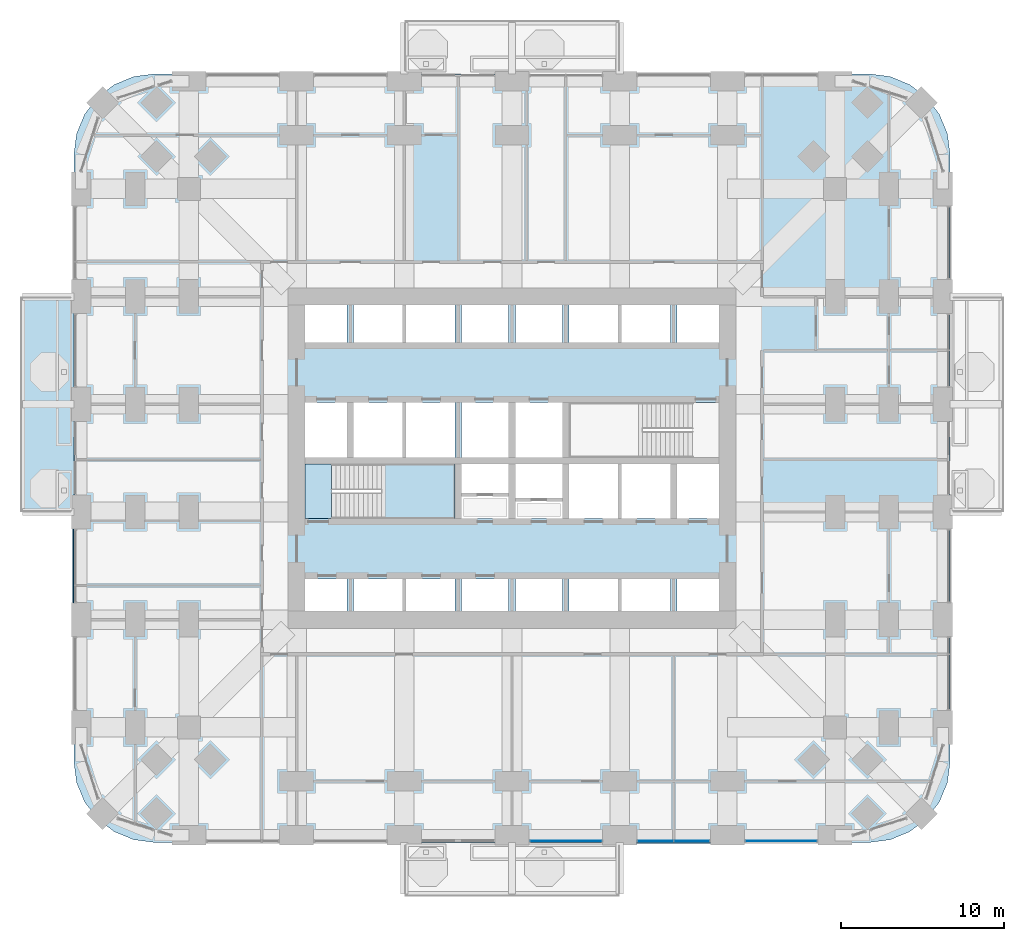
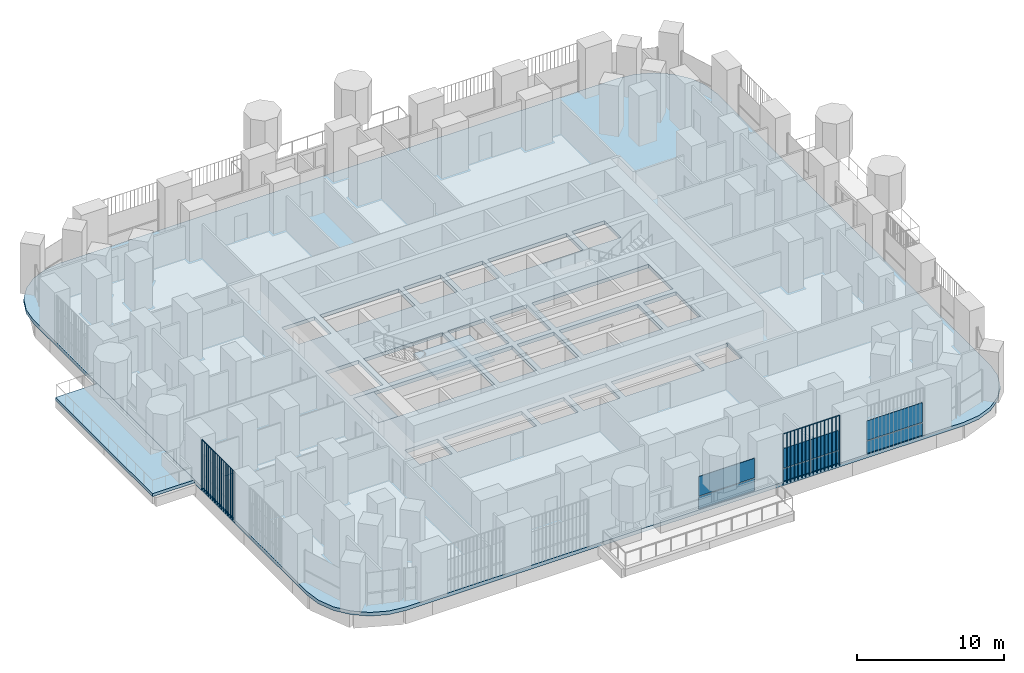
# One storey, part 12 of 26: 10 plates, 4 slabs, 4 elements without a shape of their own.
"""IFC4 building model written with IfcOpenShell, lengths in metres."""

import ifcopenshell
import ifcopenshell.guid

model = None  # the IFC model being written
_history = None  # IfcOwnerHistory: only IFC2X3 demands one
_inside = {}  # id of a spatial element -> (the spatial element, [elements in it])
_under = {}  # id of a project, library or spatial element -> (it, [spatial elements below it])
_declared = {}  # id of a project -> (the project, [libraries it declares])
_typed = {}  # id of a type object -> (the type object, [elements of that type])
_made_of = {}  # id of a material, layer set ... -> (it, [elements and type objects made of it])


def new_model(schema):
    """Start an empty IFC model of exactly this schema.

    Asked for "IFC4X3", IfcOpenShell would pick the latest addendum, in which some entities
    have other attributes; the version numbers below select the first issue.
    IFC2X3 requires an IfcOwnerHistory on every rooted entity: one is made here for all.
    """
    global model, _history
    if schema == "IFC4X3":
        model = ifcopenshell.file(schema_version=(4, 3, 0, 0))
    else:
        model = ifcopenshell.file(schema=schema)
    _inside.clear()
    _under.clear()
    _declared.clear()
    _typed.clear()
    _made_of.clear()
    _history = None
    if model.schema == "IFC2X3":
        org = make("IfcOrganization", Name="unknown")
        user = make(
            "IfcPersonAndOrganization",
            ThePerson=make("IfcPerson", FamilyName="unknown"),
            TheOrganization=org,
        )
        app = make(
            "IfcApplication",
            ApplicationDeveloper=org,
            Version="unknown",
            ApplicationFullName="unknown",
            ApplicationIdentifier="unknown",
        )
        _history = make(
            "IfcOwnerHistory",
            OwningUser=user,
            OwningApplication=app,
            ChangeAction="ADDED",
            CreationDate=0,
        )
    return model


def make(cls, **values):
    """One entity of the class cls with the attributes given. An attribute that is None is left unset."""
    return model.create_entity(
        cls, **{name: value for name, value in values.items() if value is not None}
    )


def rooted(cls, **values):
    """An entity with a GlobalId (a new one), such as an element, a storey or a relation."""
    return make(cls, GlobalId=ifcopenshell.guid.new(), OwnerHistory=_history, **values)


def si_unit(unit_type, name, prefix=None):
    """IfcSIUnit, for example si_unit("LENGTHUNIT", "METRE", prefix="MILLI")."""
    return make("IfcSIUnit", UnitType=unit_type, Prefix=prefix, Name=name)


def assignment(units):
    """IfcUnitAssignment: the units of a project."""
    return None if units is None else make("IfcUnitAssignment", Units=units)


def point(xyz):
    """IfcCartesianPoint."""
    return None if xyz is None else make("IfcCartesianPoint", Coordinates=xyz)


def direction(xyz):
    """IfcDirection."""
    return None if xyz is None else make("IfcDirection", DirectionRatios=xyz)


def frame(location, z_axis=None, x_axis=None):
    """IfcAxis2Placement3D, a coordinate frame: its origin and axes. An axis left out is left unset."""
    return make(
        "IfcAxis2Placement3D",
        Location=point(location),
        Axis=direction(z_axis),
        RefDirection=direction(x_axis),
    )


def frame_2d(location, x_axis=None):
    """IfcAxis2Placement2D, a coordinate frame in the plane: its origin and x axis."""
    return make(
        "IfcAxis2Placement2D", Location=point(location), RefDirection=direction(x_axis)
    )


def origin():
    """The frame at (0, 0, 0) with its axes left unset."""
    return frame((0.0, 0.0, 0.0))


def origin_2d():
    """The frame at (0, 0) in the plane with its x axis left unset."""
    return frame_2d((0.0, 0.0))


def place(relative_to, where):
    """IfcLocalPlacement: puts the frame where relative to a parent placement (None: the world)."""
    return make(
        "IfcLocalPlacement", PlacementRelTo=relative_to, RelativePlacement=where
    )


def context(
    kind, dimensions, precision=None, world=None, true_north=None, identifier=None
):
    """IfcGeometricRepresentationContext, for example the 3D "Model" context."""
    return make(
        "IfcGeometricRepresentationContext",
        ContextIdentifier=identifier,
        ContextType=kind,
        CoordinateSpaceDimension=dimensions,
        Precision=precision,
        WorldCoordinateSystem=world,
        TrueNorth=true_north,
    )


def subcontext(parent, identifier, kind, view, scale=None):
    """IfcGeometricRepresentationSubContext, for example "Body" below "Model"."""
    return make(
        "IfcGeometricRepresentationSubContext",
        ContextIdentifier=identifier,
        ContextType=kind,
        ParentContext=parent,
        TargetScale=scale,
        TargetView=view,
    )


def project(units=None, contexts=None):
    """IfcProject with its units and contexts."""
    return rooted(
        "IfcProject",
        Name="project",
        RepresentationContexts=contexts,
        UnitsInContext=assignment(units),
    )


def spatial(cls, under=None, at=None, **own):
    """A site, building, storey or space (cls), placed at a placement, below another one or the project."""
    s = rooted(cls, ObjectPlacement=at, **own)
    if under is not None:
        _under.setdefault(under.id(), (under, []))[1].append(s)
    return s


def polyline(points):
    """IfcPolyline through the points."""
    return make("IfcPolyline", Points=[point(p) for p in points])


def profile(cls, at=None, kind="AREA", **sizes):
    """A parametric profile (cls). Its sizes go by their IFC names, for example OverallWidth=200.0."""
    return make(cls, ProfileType=kind, Position=at, **sizes)


def rectangle(**sizes):
    """IfcRectangleProfileDef."""
    return profile("IfcRectangleProfileDef", **sizes)


def outline(outer, holes=None, kind="AREA"):
    """IfcArbitraryClosedProfileDef: a profile drawn as a closed curve; with holes, ...WithVoids."""
    if holes is None:
        return make("IfcArbitraryClosedProfileDef", ProfileType=kind, OuterCurve=outer)
    return make(
        "IfcArbitraryProfileDefWithVoids",
        ProfileType=kind,
        OuterCurve=outer,
        InnerCurves=holes,
    )


def extrude(swept, where, along, depth):
    """IfcExtrudedAreaSolid: the profile swept, set in the frame where, extruded along a direction by depth."""
    return make(
        "IfcExtrudedAreaSolid",
        SweptArea=swept,
        Position=where,
        ExtrudedDirection=direction(along),
        Depth=depth,
    )


def shape(context_of_items, identifier, shape_type, items):
    """IfcShapeRepresentation: the items that make up one representation, for example the "Body"."""
    return make(
        "IfcShapeRepresentation",
        ContextOfItems=context_of_items,
        RepresentationIdentifier=identifier,
        RepresentationType=shape_type,
        Items=items,
    )


def material(Name=None, Category=None):
    """IfcMaterial."""
    return make("IfcMaterial", Name=Name, Category=Category)


def layer(
    of_material, thickness, ventilated=None, Name=None, Category=None, Priority=None
):
    """IfcMaterialLayer: one layer of a wall or slab, of a material (None: an air gap)."""
    return make(
        "IfcMaterialLayer",
        Material=of_material,
        LayerThickness=thickness,
        IsVentilated=ventilated,
        Name=Name,
        Category=Category,
        Priority=Priority,
    )


def layer_set(layers, Name=None):
    """IfcMaterialLayerSet."""
    return make("IfcMaterialLayerSet", MaterialLayers=layers, LayerSetName=Name)


def made_of(thing, what):
    """Note that an element or type object is made of a material, layer set ...; save() writes the relation."""
    if what is not None:
        _made_of.setdefault(what.id(), (what, []))[1].append(thing)
    return thing


def type_object(cls, material=None, **own):
    """A type object (cls), such as IfcWallType, which elements share."""
    return made_of(rooted(cls, **own), material)


def element(
    cls,
    number,
    at=None,
    inside=None,
    cuts=None,
    type_object=None,
    material=None,
    context=None,
    identifier="Body",
    shape_type=None,
    held_by="IfcProductDefinitionShape",
    body=None,
    shapes=None,
    **own,
):
    """One element of the class cls, such as IfcWall. Its Tag is "e" and its number.

    at: its placement. inside: the storey or other place that contains it. cuts: it is an
    opening in that element (IfcRelVoidsElement). A single representation is given by context,
    identifier, shape_type and body (its items); several are given by shapes. held_by: the class
    of the entity that holds the representations. save() writes the other relations.
    """
    e = rooted(cls, Tag="e%d" % number, ObjectPlacement=at, **own)
    if body is not None:
        shapes = [shape(context, identifier, shape_type, body)]
    if shapes is not None:
        e.Representation = make(held_by, Representations=shapes)
    if inside is not None:
        _inside.setdefault(inside.id(), (inside, []))[1].append(e)
    if cuts is not None:
        rooted(
            "IfcRelVoidsElement", RelatingBuildingElement=cuts, RelatedOpeningElement=e
        )
    if type_object is not None:
        _typed.setdefault(type_object.id(), (type_object, []))[1].append(e)
    return made_of(e, material)


def aggregate(whole, parts):
    """IfcRelAggregates: a whole, such as a stair, and the parts it consists of."""
    return rooted("IfcRelAggregates", RelatingObject=whole, RelatedObjects=parts)


def save(model, path):
    """Write the relations noted so far, then the file.

    IfcRelAggregates (storeys below a building ...), IfcRelContainedInSpatialStructure (elements
    in a storey), IfcRelDefinesByType, IfcRelAssociatesMaterial and IfcRelDeclares: one each for
    every whole, place, type object, material and project.
    """
    for whole, parts in _under.values():
        aggregate(whole, parts)
    for where, things in _inside.values():
        rooted(
            "IfcRelContainedInSpatialStructure",
            RelatedElements=things,
            RelatingStructure=where,
        )
    for kind, things in _typed.values():
        rooted("IfcRelDefinesByType", RelatedObjects=things, RelatingType=kind)
    for what, things in _made_of.values():
        rooted("IfcRelAssociatesMaterial", RelatedObjects=things, RelatingMaterial=what)
    for by, libraries in _declared.values():
        rooted("IfcRelDeclares", RelatingContext=by, RelatedDefinitions=libraries)
    model.write(path)


model = new_model("IFC4")

# Units and contexts
model_context = context("Model", 3, precision=1e-05, world=origin(), true_north=direction((0.0, 1.0)))
body_context = subcontext(model_context, "Body", "Model", "MODEL_VIEW")
ifc_project = project(units=[si_unit("LENGTHUNIT", "METRE"), si_unit("AREAUNIT", "SQUARE_METRE"), si_unit("VOLUMEUNIT", "CUBIC_METRE"), si_unit("PLANEANGLEUNIT", "RADIAN"), si_unit("MASSUNIT", "GRAM", prefix="KILO")], contexts=[model_context])

# Site, building, storey
site_placement = place(None, origin())
site = spatial("IfcSite", under=ifc_project, at=site_placement, CompositionType="ELEMENT")
building_placement = place(site_placement, origin())
building = spatial("IfcBuilding", under=site, at=building_placement, Name="Cobogo Forest Laboratory Tower", CompositionType="ELEMENT")
storey_placement = place(building_placement, frame((0.0, 0.0, 25.5)))
storey = spatial("IfcBuildingStorey", under=building, at=storey_placement, Name="L05", CompositionType="ELEMENT", Elevation=25.5)

# Slabs
ifc_material_1 = material(Name="Concrete HA-40 (C40/50)", Category="concrete")
ifc_layer_1 = layer(ifc_material_1, 0.25)
ifc_layer_set_1 = layer_set([ifc_layer_1], Name="Balcony slab 250")
slab_type_1 = type_object("IfcSlabType", Name="Balcony slab 250", PredefinedType="FLOOR", material=ifc_layer_set_1)
slab_1_placement = place(storey_placement, frame((0.0, 0.0, -0.25)))
element("IfcSlab", 1, at=slab_1_placement, inside=storey, type_object=slab_type_1, Name="Balcony BAL-W1 L05", PredefinedType="FLOOR", context=body_context, shape_type="SweptSolid", body=[
    extrude(outline(polyline([(-3.75, 19.800048828125), (-0.449951171875, 19.800048828125), (-0.449951171875, 33.0), (-3.75, 33.0), (-3.75, 19.800048828125)])), origin(), (0.0, 0.0, 1.0), 0.25),
])
ifc_layer_2 = layer(ifc_material_1, 0.300048828125)
ifc_layer_set_2 = layer_set([ifc_layer_2], Name="Floor slab 300")
slab_type_2 = type_object("IfcSlabType", Name="Floor slab 300", PredefinedType="FLOOR", material=ifc_layer_set_2)
slab_2_placement = place(storey_placement, frame((0.0, 0.0, -0.300048828125)))
element("IfcSlab", 2, at=slab_2_placement, inside=storey, type_object=slab_type_2, Name="L05 floor slab", PredefinedType="FLOOR", context=body_context, shape_type="SweptSolid", body=[
    extrude(outline(polyline([(48.300048828125, -0.449951171875), (49.5810546875, -0.28125), (50.77490234375, 0.213134765625), (51.80029296875, 0.999755859375), (52.5869140625, 2.02490234375), (53.081298828125, 3.21875), (53.25, 4.5), (53.25, 41.699951171875), (53.081298828125, 42.981201171875), (52.5869140625, 44.175048828125), (51.80029296875, 45.2001953125), (50.77490234375, 45.98681640625), (49.5810546875, 46.4814453125), (48.300048828125, 46.64990234375), (4.5, 46.64990234375), (3.21875, 46.4814453125), (2.02490234375, 45.98681640625), (0.999755859375, 45.2001953125), (0.213134765625, 44.175048828125), (-0.28125, 42.981201171875), (-0.449951171875, 41.699951171875), (-0.449951171875, 4.5), (-0.28125, 3.21875), (0.213134765625, 2.02490234375), (0.999755859375, 0.999755859375), (2.02490234375, 0.213134765625), (3.21875, -0.28125), (4.5, -0.449951171875), (48.300048828125, -0.449951171875)]), holes=[polyline([(16.300048828125, 13.72509765625), (13.72509765625, 13.72509765625), (13.72509765625, 15.699951171875), (16.300048828125, 15.699951171875), (16.300048828125, 13.72509765625)]), polyline([(22.89990234375, 15.699951171875), (22.89990234375, 13.72509765625), (16.699951171875, 13.72509765625), (16.699951171875, 15.699951171875), (22.89990234375, 15.699951171875)]), polyline([(23.300048828125, 13.72509765625), (23.300048828125, 15.699951171875), (26.199951171875, 15.699951171875), (26.199951171875, 13.72509765625), (23.300048828125, 13.72509765625)]), polyline([(29.5, 13.72509765625), (26.60009765625, 13.72509765625), (26.60009765625, 15.699951171875), (29.5, 15.699951171875), (29.5, 13.72509765625)]), polyline([(36.10009765625, 15.699951171875), (36.10009765625, 13.72509765625), (29.89990234375, 13.72509765625), (29.89990234375, 15.699951171875), (36.10009765625, 15.699951171875)]), polyline([(36.5, 13.72509765625), (36.5, 15.699951171875), (39.074951171875, 15.699951171875), (39.074951171875, 13.72509765625), (36.5, 13.72509765625)]), polyline([(13.72509765625, 19.39990234375), (13.72509765625, 22.75), (22.89990234375, 22.75), (22.89990234375, 19.39990234375), (13.72509765625, 19.39990234375)]), polyline([(23.300048828125, 19.39990234375), (23.300048828125, 22.75), (26.199951171875, 22.75), (26.199951171875, 19.39990234375), (23.300048828125, 19.39990234375)]), polyline([(26.60009765625, 19.39990234375), (26.60009765625, 22.75), (29.5, 22.75), (29.5, 19.39990234375), (26.60009765625, 19.39990234375)]), polyline([(36.10009765625, 22.75), (36.10009765625, 19.39990234375), (29.89990234375, 19.39990234375), (29.89990234375, 22.75), (36.10009765625, 22.75)]), polyline([(39.074951171875, 19.39990234375), (36.5, 19.39990234375), (36.5, 22.75), (39.074951171875, 22.75), (39.074951171875, 19.39990234375)]), polyline([(13.72509765625, 23.14990234375), (13.72509765625, 26.5), (16.300048828125, 26.5), (16.300048828125, 23.14990234375), (13.72509765625, 23.14990234375)]), polyline([(22.89990234375, 26.5), (22.89990234375, 23.14990234375), (16.699951171875, 23.14990234375), (16.699951171875, 26.5), (22.89990234375, 26.5)]), polyline([(23.300048828125, 23.14990234375), (23.300048828125, 26.5), (26.199951171875, 26.5), (26.199951171875, 23.14990234375), (23.300048828125, 23.14990234375)]), polyline([(26.60009765625, 23.14990234375), (26.60009765625, 26.5), (29.5, 26.5), (29.5, 23.14990234375), (26.60009765625, 23.14990234375)]), polyline([(29.89990234375, 23.14990234375), (29.89990234375, 26.5), (39.074951171875, 26.5), (39.074951171875, 23.14990234375), (29.89990234375, 23.14990234375)]), polyline([(13.72509765625, 30.199951171875), (13.72509765625, 32.47509765625), (16.300048828125, 32.47509765625), (16.300048828125, 30.199951171875), (13.72509765625, 30.199951171875)]), polyline([(22.89990234375, 32.47509765625), (22.89990234375, 30.199951171875), (16.699951171875, 30.199951171875), (16.699951171875, 32.47509765625), (22.89990234375, 32.47509765625)]), polyline([(23.300048828125, 30.199951171875), (23.300048828125, 32.47509765625), (26.199951171875, 32.47509765625), (26.199951171875, 30.199951171875), (23.300048828125, 30.199951171875)]), polyline([(26.60009765625, 30.199951171875), (26.60009765625, 32.47509765625), (29.5, 32.47509765625), (29.5, 30.199951171875), (26.60009765625, 30.199951171875)]), polyline([(36.10009765625, 32.47509765625), (36.10009765625, 30.199951171875), (29.89990234375, 30.199951171875), (29.89990234375, 32.47509765625), (36.10009765625, 32.47509765625)]), polyline([(36.5, 30.199951171875), (36.5, 32.47509765625), (39.074951171875, 32.47509765625), (39.074951171875, 30.199951171875), (36.5, 30.199951171875)])]), origin(), (0.0, 0.0, 1.0), 0.300048828125),
])

# Curtain wall, plates
ifc_material_2 = material(Name="Aluminium curtain wall", Category="aluminium")
curtain_wall_type = type_object("IfcCurtainWallType", Name="CW-1 unitised curtain wall, clear glazing, laboratory floors zones A and B", PredefinedType="USERDEFINED", material=ifc_material_2)
curtain_wall_1_placement = place(storey_placement, origin())
curtain_wall_1 = element("IfcCurtainWall", 3, at=curtain_wall_1_placement, inside=storey, type_object=curtain_wall_type, Name="Curtain wall 04 L05", ObjectType="UNITISED CURTAIN WALL", PredefinedType="USERDEFINED")
ifc_material_3 = material(Name="Clear insulated glass", Category="glass")
ifc_layer_3 = layer(ifc_material_3, 0.028076171875)
ifc_layer_set_3 = layer_set([ifc_layer_3], Name="GP-1 clear insulated glass unit 28")
plate_type_1 = type_object("IfcPlateType", Name="GP-1 clear insulated glass unit 28", PredefinedType="CURTAIN_PANEL", material=ifc_layer_set_3)
plate_1_placement = place(storey_placement, frame((29.699951171875, -0.35009765625, 0.0), z_axis=(0.0, 0.0, 1.0), x_axis=(1.0, 0.0, 0.0)))
plate_1 = element("IfcPlate", 4, at=plate_1_placement, type_object=plate_type_1, Name="CW-1 panel 1.1", PredefinedType="CURTAIN_PANEL", context=body_context, shape_type="SweptSolid", body=[
    extrude(rectangle(XDim=4.3798828125, YDim=0.028076171875, at=origin_2d()), origin(), (0.0, 0.0, 1.0), 1.02001953125),
])
plate_2_placement = place(storey_placement, frame((29.699951171875, -0.35009765625, 1.079833984375), z_axis=(0.0, 0.0, 1.0), x_axis=(1.0, 0.0, 0.0)))
plate_2 = element("IfcPlate", 5, at=plate_2_placement, type_object=plate_type_1, Name="CW-1 panel 1.2", PredefinedType="CURTAIN_PANEL", context=body_context, shape_type="SweptSolid", body=[
    extrude(rectangle(XDim=4.3798828125, YDim=0.028076171875, at=origin_2d()), origin(), (0.0, 0.0, 1.0), 1.6201171875),
])
aggregate(curtain_wall_1, [plate_1, plate_2])

curtain_wall_2_placement = place(storey_placement, origin())
curtain_wall_2 = element("IfcCurtainWall", 6, at=curtain_wall_2_placement, inside=storey, type_object=curtain_wall_type, Name="Curtain wall 05 L05", ObjectType="UNITISED CURTAIN WALL", PredefinedType="USERDEFINED")
plate_3_placement = place(storey_placement, frame((35.18994140625, -0.35009765625, 0.0), z_axis=(0.0, 0.0, 1.0), x_axis=(1.0, 0.0, 0.0)))
plate_3 = element("IfcPlate", 7, at=plate_3_placement, type_object=plate_type_1, Name="CW-1 panel 1.1", PredefinedType="CURTAIN_PANEL", context=body_context, shape_type="SweptSolid", body=[
    extrude(rectangle(XDim=2.159912109375, YDim=0.028076171875, at=origin_2d()), origin(), (0.0, 0.0, 1.0), 1.02001953125),
])
plate_4_placement = place(storey_placement, frame((35.18994140625, -0.35009765625, 1.079833984375), z_axis=(0.0, 0.0, 1.0), x_axis=(1.0, 0.0, 0.0)))
plate_4 = element("IfcPlate", 8, at=plate_4_placement, type_object=plate_type_1, Name="CW-1 panel 1.2", PredefinedType="CURTAIN_PANEL", context=body_context, shape_type="SweptSolid", body=[
    extrude(rectangle(XDim=2.159912109375, YDim=0.028076171875, at=origin_2d()), origin(), (0.0, 0.0, 1.0), 1.6201171875),
])
plate_5_placement = place(storey_placement, frame((37.409912109375, -0.35009765625, 0.0), z_axis=(0.0, 0.0, 1.0), x_axis=(1.0, 0.0, 0.0)))
plate_5 = element("IfcPlate", 9, at=plate_5_placement, type_object=plate_type_1, Name="CW-1 panel 2.1", PredefinedType="CURTAIN_PANEL", context=body_context, shape_type="SweptSolid", body=[
    extrude(rectangle(XDim=2.159912109375, YDim=0.028076171875, at=origin_2d()), origin(), (0.0, 0.0, 1.0), 1.02001953125),
])
plate_6_placement = place(storey_placement, frame((37.409912109375, -0.35009765625, 1.079833984375), z_axis=(0.0, 0.0, 1.0), x_axis=(1.0, 0.0, 0.0)))
plate_6 = element("IfcPlate", 10, at=plate_6_placement, type_object=plate_type_1, Name="CW-1 panel 2.2", PredefinedType="CURTAIN_PANEL", context=body_context, shape_type="SweptSolid", body=[
    extrude(rectangle(XDim=2.159912109375, YDim=0.028076171875, at=origin_2d()), origin(), (0.0, 0.0, 1.0), 1.6201171875),
])
aggregate(curtain_wall_2, [plate_3, plate_4, plate_5, plate_6])

curtain_wall_3_placement = place(storey_placement, origin())
curtain_wall_3 = element("IfcCurtainWall", 11, at=curtain_wall_3_placement, inside=storey, type_object=curtain_wall_type, Name="Curtain wall 06 L05", ObjectType="UNITISED CURTAIN WALL", PredefinedType="USERDEFINED")
plate_7_placement = place(storey_placement, frame((42.89990234375, -0.35009765625, 0.0), z_axis=(0.0, 0.0, 1.0), x_axis=(1.0, 0.0, 0.0)))
plate_7 = element("IfcPlate", 12, at=plate_7_placement, type_object=plate_type_1, Name="CW-1 panel 1.1", PredefinedType="CURTAIN_PANEL", context=body_context, shape_type="SweptSolid", body=[
    extrude(rectangle(XDim=4.3798828125, YDim=0.028076171875, at=origin_2d()), origin(), (0.0, 0.0, 1.0), 1.02001953125),
])
plate_8_placement = place(storey_placement, frame((42.89990234375, -0.35009765625, 1.079833984375), z_axis=(0.0, 0.0, 1.0), x_axis=(1.0, 0.0, 0.0)))
plate_8 = element("IfcPlate", 13, at=plate_8_placement, type_object=plate_type_1, Name="CW-1 panel 1.2", PredefinedType="CURTAIN_PANEL", context=body_context, shape_type="SweptSolid", body=[
    extrude(rectangle(XDim=4.3798828125, YDim=0.028076171875, at=origin_2d()), origin(), (0.0, 0.0, 1.0), 1.6201171875),
])
aggregate(curtain_wall_3, [plate_7, plate_8])

# Stair, slabs
ifc_material_4 = material(Name="Precast concrete HA-40 (C40/50)", Category="concrete")
stair_type = type_object("IfcStairType", Name="ST24 exit stair 24 risers", PredefinedType="HALF_TURN_STAIR", material=ifc_material_4)
stair_placement = place(storey_placement, origin())
stair = element("IfcStair", 14, at=stair_placement, inside=storey, type_object=stair_type, Name="Stair 1 L05 to L06", PredefinedType="HALF_TURN_STAIR")
ifc_layer_4 = layer(ifc_material_1, 0.199951171875)
ifc_layer_set_4 = layer_set([ifc_layer_4], Name="SL stair landing 200")
slab_type_3 = type_object("IfcSlabType", Name="SL stair landing 200", PredefinedType="LANDING", material=ifc_layer_set_4)
slab_3_placement = place(storey_placement, frame((0.0, 0.0, -0.199951171875)))
slab_3 = element("IfcSlab", 15, at=slab_3_placement, type_object=slab_type_3, Name="ST1 landing 1", PredefinedType="LANDING", context=body_context, shape_type="SweptSolid", body=[
    extrude(outline(polyline([(13.72509765625, 19.39990234375), (15.326904296875, 19.39990234375), (15.326904296875, 22.75), (13.72509765625, 22.75), (13.72509765625, 19.39990234375)])), origin(), (0.0, 0.0, 1.0), 0.199951171875),
])
slab_4_placement = place(storey_placement, frame((0.0, 0.0, 1.89990234375)))
slab_4 = element("IfcSlab", 16, at=slab_4_placement, type_object=slab_type_3, Name="ST1 landing 2", PredefinedType="LANDING", context=body_context, shape_type="SweptSolid", body=[
    extrude(outline(polyline([(18.403076171875, 19.39990234375), (22.89990234375, 19.39990234375), (22.89990234375, 22.75), (18.403076171875, 22.75), (18.403076171875, 19.39990234375)])), origin(), (0.0, 0.0, 1.0), 0.2001953125),
])
aggregate(stair, [slab_3, slab_4])

# Plates
ifc_material_5 = material(Name="Terracotta", Category="masonry")
plate_type_2 = type_object("IfcPlateType", Name="TB1 terracotta baguette screen", PredefinedType="USERDEFINED", material=ifc_material_5)
plate_9_placement = place(storey_placement, frame((34.081298828125, -0.477783203125, -0.14990234375)))
element("IfcPlate", 17, at=plate_9_placement, inside=storey, type_object=plate_type_2, Name="Baguette screen S5 L05", ObjectType="BAGUETTE SCREEN", PredefinedType="USERDEFINED", context=body_context, shape_type="SweptSolid", body=[
    extrude(outline(polyline([(0.02880859375, 0.011962890625), (0.011962890625, 0.02880859375), (-0.011962890625, 0.02880859375), (-0.02880859375, 0.011962890625), (-0.02880859375, -0.011962890625), (-0.011962890625, -0.02880859375), (0.011962890625, -0.02880859375), (0.02880859375, -0.011962890625), (0.02880859375, 0.011962890625)])), frame((0.0, 0.0, 4.168701171875), z_axis=(1.0, 0.0, 0.0), x_axis=(0.0, 1.0, 0.0)), (0.0, 0.0, 1.0), 4.4375),
    extrude(outline(polyline([(0.02880859375, 0.011962890625), (0.011962890625, 0.02880859375), (-0.011962890625, 0.02880859375), (-0.02880859375, 0.011962890625), (-0.02880859375, -0.011962890625), (-0.011962890625, -0.02880859375), (0.011962890625, -0.02880859375), (0.02880859375, -0.011962890625), (0.02880859375, 0.011962890625)])), origin(), (0.0, 0.0, 1.0), 4.137451171875),
    extrude(outline(polyline([(0.02880859375, 0.011962890625), (0.011962890625, 0.02880859375), (-0.011962890625, 0.02880859375), (-0.02880859375, 0.011962890625), (-0.02880859375, -0.011962890625), (-0.011962890625, -0.02880859375), (0.011962890625, -0.02880859375), (0.02880859375, -0.011962890625), (0.02880859375, 0.011962890625)])), frame((0.2958984375, 0.0, 0.0)), (0.0, 0.0, 1.0), 4.137451171875),
    extrude(outline(polyline([(0.02880859375, 0.011962890625), (0.011962890625, 0.02880859375), (-0.011962890625, 0.02880859375), (-0.02880859375, 0.011962890625), (-0.02880859375, -0.011962890625), (-0.011962890625, -0.02880859375), (0.011962890625, -0.02880859375), (0.02880859375, -0.011962890625), (0.02880859375, 0.011962890625)])), frame((0.591552734375, 0.0, 0.0)), (0.0, 0.0, 1.0), 4.137451171875),
    extrude(outline(polyline([(0.02880859375, 0.011962890625), (0.011962890625, 0.02880859375), (-0.011962890625, 0.02880859375), (-0.02880859375, 0.011962890625), (-0.02880859375, -0.011962890625), (-0.011962890625, -0.02880859375), (0.011962890625, -0.02880859375), (0.02880859375, -0.011962890625), (0.02880859375, 0.011962890625)])), frame((0.887451171875, 0.0, 0.0)), (0.0, 0.0, 1.0), 4.137451171875),
    extrude(outline(polyline([(0.02880859375, 0.011962890625), (0.011962890625, 0.02880859375), (-0.011962890625, 0.02880859375), (-0.02880859375, 0.011962890625), (-0.02880859375, -0.011962890625), (-0.011962890625, -0.02880859375), (0.011962890625, -0.02880859375), (0.02880859375, -0.011962890625), (0.02880859375, 0.011962890625)])), frame((1.183349609375, 0.0, 0.0)), (0.0, 0.0, 1.0), 4.137451171875),
    extrude(outline(polyline([(0.02880859375, 0.011962890625), (0.011962890625, 0.02880859375), (-0.011962890625, 0.02880859375), (-0.02880859375, 0.011962890625), (-0.02880859375, -0.011962890625), (-0.011962890625, -0.02880859375), (0.011962890625, -0.02880859375), (0.02880859375, -0.011962890625), (0.02880859375, 0.011962890625)])), frame((1.479248046875, 0.0, 0.0)), (0.0, 0.0, 1.0), 4.137451171875),
    extrude(outline(polyline([(0.02880859375, 0.011962890625), (0.011962890625, 0.02880859375), (-0.011962890625, 0.02880859375), (-0.02880859375, 0.011962890625), (-0.02880859375, -0.011962890625), (-0.011962890625, -0.02880859375), (0.011962890625, -0.02880859375), (0.02880859375, -0.011962890625), (0.02880859375, 0.011962890625)])), frame((1.77490234375, 0.0, 0.0)), (0.0, 0.0, 1.0), 4.137451171875),
    extrude(outline(polyline([(0.02880859375, 0.011962890625), (0.011962890625, 0.02880859375), (-0.011962890625, 0.02880859375), (-0.02880859375, 0.011962890625), (-0.02880859375, -0.011962890625), (-0.011962890625, -0.02880859375), (0.011962890625, -0.02880859375), (0.02880859375, -0.011962890625), (0.02880859375, 0.011962890625)])), frame((2.07080078125, 0.0, 0.0)), (0.0, 0.0, 1.0), 4.137451171875),
    extrude(outline(polyline([(0.02880859375, 0.011962890625), (0.011962890625, 0.02880859375), (-0.011962890625, 0.02880859375), (-0.02880859375, 0.011962890625), (-0.02880859375, -0.011962890625), (-0.011962890625, -0.02880859375), (0.011962890625, -0.02880859375), (0.02880859375, -0.011962890625), (0.02880859375, 0.011962890625)])), frame((2.36669921875, 0.0, 0.0)), (0.0, 0.0, 1.0), 4.137451171875),
    extrude(outline(polyline([(0.02880859375, 0.011962890625), (0.011962890625, 0.02880859375), (-0.011962890625, 0.02880859375), (-0.02880859375, 0.011962890625), (-0.02880859375, -0.011962890625), (-0.011962890625, -0.02880859375), (0.011962890625, -0.02880859375), (0.02880859375, -0.011962890625), (0.02880859375, 0.011962890625)])), frame((2.66259765625, 0.0, 0.0)), (0.0, 0.0, 1.0), 4.137451171875),
    extrude(outline(polyline([(0.02880859375, 0.011962890625), (0.011962890625, 0.02880859375), (-0.011962890625, 0.02880859375), (-0.02880859375, 0.011962890625), (-0.02880859375, -0.011962890625), (-0.011962890625, -0.02880859375), (0.011962890625, -0.02880859375), (0.02880859375, -0.011962890625), (0.02880859375, 0.011962890625)])), frame((2.958251953125, 0.0, 0.0)), (0.0, 0.0, 1.0), 4.137451171875),
    extrude(outline(polyline([(0.02880859375, 0.011962890625), (0.011962890625, 0.02880859375), (-0.011962890625, 0.02880859375), (-0.02880859375, 0.011962890625), (-0.02880859375, -0.011962890625), (-0.011962890625, -0.02880859375), (0.011962890625, -0.02880859375), (0.02880859375, -0.011962890625), (0.02880859375, 0.011962890625)])), frame((3.254150390625, 0.0, 0.0)), (0.0, 0.0, 1.0), 4.137451171875),
    extrude(outline(polyline([(0.02880859375, 0.011962890625), (0.011962890625, 0.02880859375), (-0.011962890625, 0.02880859375), (-0.02880859375, 0.011962890625), (-0.02880859375, -0.011962890625), (-0.011962890625, -0.02880859375), (0.011962890625, -0.02880859375), (0.02880859375, -0.011962890625), (0.02880859375, 0.011962890625)])), frame((3.550048828125, 0.0, 0.0)), (0.0, 0.0, 1.0), 4.137451171875),
    extrude(outline(polyline([(0.02880859375, 0.011962890625), (0.011962890625, 0.02880859375), (-0.011962890625, 0.02880859375), (-0.02880859375, 0.011962890625), (-0.02880859375, -0.011962890625), (-0.011962890625, -0.02880859375), (0.011962890625, -0.02880859375), (0.02880859375, -0.011962890625), (0.02880859375, 0.011962890625)])), frame((3.845947265625, 0.0, 0.0)), (0.0, 0.0, 1.0), 4.137451171875),
    extrude(outline(polyline([(0.02880859375, 0.011962890625), (0.011962890625, 0.02880859375), (-0.011962890625, 0.02880859375), (-0.02880859375, 0.011962890625), (-0.02880859375, -0.011962890625), (-0.011962890625, -0.02880859375), (0.011962890625, -0.02880859375), (0.02880859375, -0.011962890625), (0.02880859375, 0.011962890625)])), frame((4.1416015625, 0.0, 0.0)), (0.0, 0.0, 1.0), 4.137451171875),
    extrude(outline(polyline([(0.02880859375, 0.011962890625), (0.011962890625, 0.02880859375), (-0.011962890625, 0.02880859375), (-0.02880859375, 0.011962890625), (-0.02880859375, -0.011962890625), (-0.011962890625, -0.02880859375), (0.011962890625, -0.02880859375), (0.02880859375, -0.011962890625), (0.02880859375, 0.011962890625)])), frame((4.4375, 0.0, 0.0)), (0.0, 0.0, 1.0), 4.137451171875),
])
plate_10_placement = place(storey_placement, frame((-0.477783203125, 14.28125, -0.14990234375)))
element("IfcPlate", 18, at=plate_10_placement, inside=storey, type_object=plate_type_2, Name="Baguette screen W2 L05", ObjectType="BAGUETTE SCREEN", PredefinedType="USERDEFINED", context=body_context, shape_type="SweptSolid", body=[
    extrude(outline(polyline([(0.02880859375, 0.011962890625), (0.011962890625, 0.02880859375), (-0.011962890625, 0.02880859375), (-0.02880859375, 0.011962890625), (-0.02880859375, -0.011962890625), (-0.011962890625, -0.02880859375), (0.011962890625, -0.02880859375), (0.02880859375, -0.011962890625), (0.02880859375, 0.011962890625)])), frame((0.0, 0.0, 4.168701171875), z_axis=(0.0, 1.0, 0.0), x_axis=(-1.0, 0.0, 0.0)), (0.0, 0.0, 1.0), 4.4375),
    extrude(outline(polyline([(0.02880859375, 0.011962890625), (0.011962890625, 0.02880859375), (-0.011962890625, 0.02880859375), (-0.02880859375, 0.011962890625), (-0.02880859375, -0.011962890625), (-0.011962890625, -0.02880859375), (0.011962890625, -0.02880859375), (0.02880859375, -0.011962890625), (0.02880859375, 0.011962890625)])), origin(), (0.0, 0.0, 1.0), 4.137451171875),
    extrude(outline(polyline([(0.02880859375, 0.011962890625), (0.011962890625, 0.02880859375), (-0.011962890625, 0.02880859375), (-0.02880859375, 0.011962890625), (-0.02880859375, -0.011962890625), (-0.011962890625, -0.02880859375), (0.011962890625, -0.02880859375), (0.02880859375, -0.011962890625), (0.02880859375, 0.011962890625)])), frame((0.0, 0.2958984375, 0.0)), (0.0, 0.0, 1.0), 4.137451171875),
    extrude(outline(polyline([(0.02880859375, 0.011962890625), (0.011962890625, 0.02880859375), (-0.011962890625, 0.02880859375), (-0.02880859375, 0.011962890625), (-0.02880859375, -0.011962890625), (-0.011962890625, -0.02880859375), (0.011962890625, -0.02880859375), (0.02880859375, -0.011962890625), (0.02880859375, 0.011962890625)])), frame((0.0, 0.591552734375, 0.0)), (0.0, 0.0, 1.0), 4.137451171875),
    extrude(outline(polyline([(0.02880859375, 0.011962890625), (0.011962890625, 0.02880859375), (-0.011962890625, 0.02880859375), (-0.02880859375, 0.011962890625), (-0.02880859375, -0.011962890625), (-0.011962890625, -0.02880859375), (0.011962890625, -0.02880859375), (0.02880859375, -0.011962890625), (0.02880859375, 0.011962890625)])), frame((0.0, 0.887451171875, 0.0)), (0.0, 0.0, 1.0), 4.137451171875),
    extrude(outline(polyline([(0.02880859375, 0.011962890625), (0.011962890625, 0.02880859375), (-0.011962890625, 0.02880859375), (-0.02880859375, 0.011962890625), (-0.02880859375, -0.011962890625), (-0.011962890625, -0.02880859375), (0.011962890625, -0.02880859375), (0.02880859375, -0.011962890625), (0.02880859375, 0.011962890625)])), frame((0.0, 1.183349609375, 0.0)), (0.0, 0.0, 1.0), 4.137451171875),
    extrude(outline(polyline([(0.02880859375, 0.011962890625), (0.011962890625, 0.02880859375), (-0.011962890625, 0.02880859375), (-0.02880859375, 0.011962890625), (-0.02880859375, -0.011962890625), (-0.011962890625, -0.02880859375), (0.011962890625, -0.02880859375), (0.02880859375, -0.011962890625), (0.02880859375, 0.011962890625)])), frame((0.0, 1.479248046875, 0.0)), (0.0, 0.0, 1.0), 4.137451171875),
    extrude(outline(polyline([(0.02880859375, 0.011962890625), (0.011962890625, 0.02880859375), (-0.011962890625, 0.02880859375), (-0.02880859375, 0.011962890625), (-0.02880859375, -0.011962890625), (-0.011962890625, -0.02880859375), (0.011962890625, -0.02880859375), (0.02880859375, -0.011962890625), (0.02880859375, 0.011962890625)])), frame((0.0, 1.77490234375, 0.0)), (0.0, 0.0, 1.0), 4.137451171875),
    extrude(outline(polyline([(0.02880859375, 0.011962890625), (0.011962890625, 0.02880859375), (-0.011962890625, 0.02880859375), (-0.02880859375, 0.011962890625), (-0.02880859375, -0.011962890625), (-0.011962890625, -0.02880859375), (0.011962890625, -0.02880859375), (0.02880859375, -0.011962890625), (0.02880859375, 0.011962890625)])), frame((0.0, 2.07080078125, 0.0)), (0.0, 0.0, 1.0), 4.137451171875),
    extrude(outline(polyline([(0.02880859375, 0.011962890625), (0.011962890625, 0.02880859375), (-0.011962890625, 0.02880859375), (-0.02880859375, 0.011962890625), (-0.02880859375, -0.011962890625), (-0.011962890625, -0.02880859375), (0.011962890625, -0.02880859375), (0.02880859375, -0.011962890625), (0.02880859375, 0.011962890625)])), frame((0.0, 2.36669921875, 0.0)), (0.0, 0.0, 1.0), 4.137451171875),
    extrude(outline(polyline([(0.02880859375, 0.011962890625), (0.011962890625, 0.02880859375), (-0.011962890625, 0.02880859375), (-0.02880859375, 0.011962890625), (-0.02880859375, -0.011962890625), (-0.011962890625, -0.02880859375), (0.011962890625, -0.02880859375), (0.02880859375, -0.011962890625), (0.02880859375, 0.011962890625)])), frame((0.0, 2.66259765625, 0.0)), (0.0, 0.0, 1.0), 4.137451171875),
    extrude(outline(polyline([(0.02880859375, 0.011962890625), (0.011962890625, 0.02880859375), (-0.011962890625, 0.02880859375), (-0.02880859375, 0.011962890625), (-0.02880859375, -0.011962890625), (-0.011962890625, -0.02880859375), (0.011962890625, -0.02880859375), (0.02880859375, -0.011962890625), (0.02880859375, 0.011962890625)])), frame((0.0, 2.958251953125, 0.0)), (0.0, 0.0, 1.0), 4.137451171875),
    extrude(outline(polyline([(0.02880859375, 0.011962890625), (0.011962890625, 0.02880859375), (-0.011962890625, 0.02880859375), (-0.02880859375, 0.011962890625), (-0.02880859375, -0.011962890625), (-0.011962890625, -0.02880859375), (0.011962890625, -0.02880859375), (0.02880859375, -0.011962890625), (0.02880859375, 0.011962890625)])), frame((0.0, 3.254150390625, 0.0)), (0.0, 0.0, 1.0), 4.137451171875),
    extrude(outline(polyline([(0.02880859375, 0.011962890625), (0.011962890625, 0.02880859375), (-0.011962890625, 0.02880859375), (-0.02880859375, 0.011962890625), (-0.02880859375, -0.011962890625), (-0.011962890625, -0.02880859375), (0.011962890625, -0.02880859375), (0.02880859375, -0.011962890625), (0.02880859375, 0.011962890625)])), frame((0.0, 3.550048828125, 0.0)), (0.0, 0.0, 1.0), 4.137451171875),
    extrude(outline(polyline([(0.02880859375, 0.011962890625), (0.011962890625, 0.02880859375), (-0.011962890625, 0.02880859375), (-0.02880859375, 0.011962890625), (-0.02880859375, -0.011962890625), (-0.011962890625, -0.02880859375), (0.011962890625, -0.02880859375), (0.02880859375, -0.011962890625), (0.02880859375, 0.011962890625)])), frame((0.0, 3.845947265625, 0.0)), (0.0, 0.0, 1.0), 4.137451171875),
    extrude(outline(polyline([(0.02880859375, 0.011962890625), (0.011962890625, 0.02880859375), (-0.011962890625, 0.02880859375), (-0.02880859375, 0.011962890625), (-0.02880859375, -0.011962890625), (-0.011962890625, -0.02880859375), (0.011962890625, -0.02880859375), (0.02880859375, -0.011962890625), (0.02880859375, 0.011962890625)])), frame((0.0, 4.1416015625, 0.0)), (0.0, 0.0, 1.0), 4.137451171875),
    extrude(outline(polyline([(0.02880859375, 0.011962890625), (0.011962890625, 0.02880859375), (-0.011962890625, 0.02880859375), (-0.02880859375, 0.011962890625), (-0.02880859375, -0.011962890625), (-0.011962890625, -0.02880859375), (0.011962890625, -0.02880859375), (0.02880859375, -0.011962890625), (0.02880859375, 0.011962890625)])), frame((0.0, 4.4375, 0.0)), (0.0, 0.0, 1.0), 4.137451171875),
])

save(model, "model.ifc")
